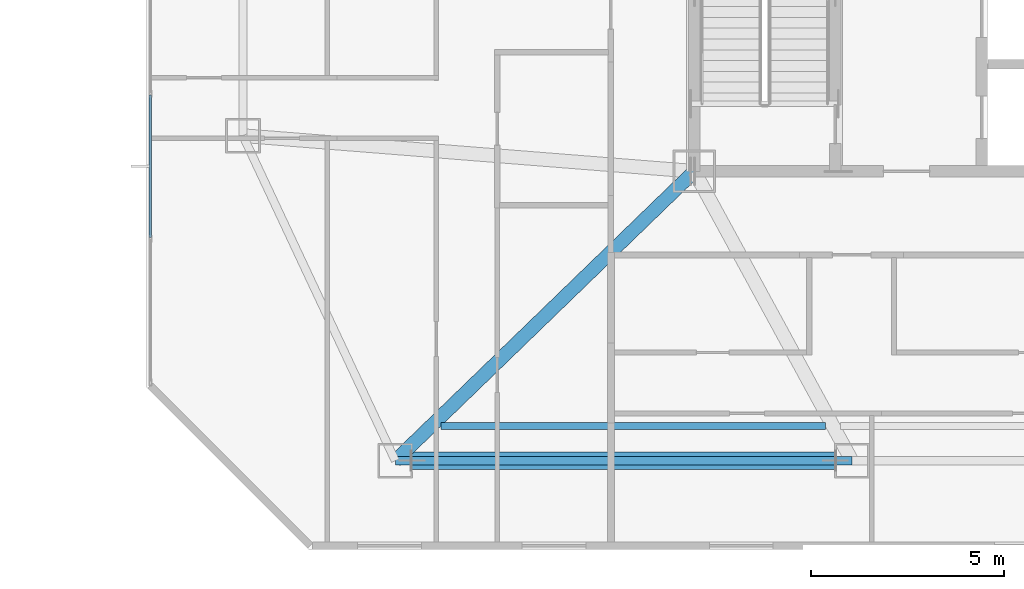
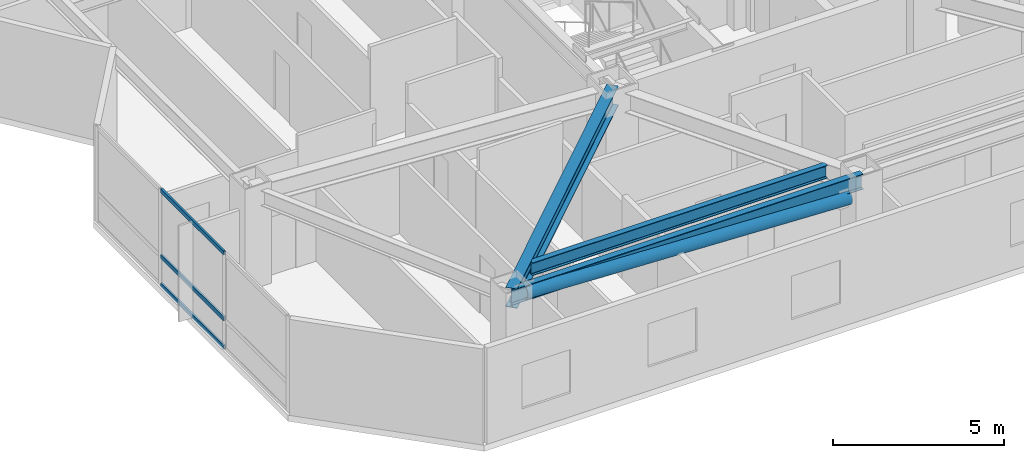
# One storey, part 3 of 16: 4 members, 3 beams, 1 element without a shape of its own.
"""IFC4 building model written with IfcOpenShell, lengths in metres."""

from ifc_helpers import new_model, si_unit, direction, frame, origin, origin_2d, place, context, subcontext, project, spatial, hollow_rectangle, hollow_circle, i_section, extrude, material, material_profile, profile_set, type_object, element, aggregate, save


model = new_model("IFC4")

# Units and contexts
model_context = context("Model", 3, precision=1e-05, world=origin(), true_north=direction((0.0, 1.0)))
body_context = subcontext(model_context, "Body", "Model", "MODEL_VIEW")
ifc_project = project(units=[si_unit("LENGTHUNIT", "METRE"), si_unit("AREAUNIT", "SQUARE_METRE"), si_unit("VOLUMEUNIT", "CUBIC_METRE"), si_unit("PLANEANGLEUNIT", "RADIAN"), si_unit("MASSUNIT", "GRAM", prefix="KILO")], contexts=[model_context])

# Site, building, storey
site_placement = place(None, origin())
site = spatial("IfcSite", under=ifc_project, at=site_placement, CompositionType="ELEMENT")
building_placement = place(site_placement, origin())
building = spatial("IfcBuilding", under=site, at=building_placement, Name="Khamvora Tower", CompositionType="ELEMENT")
storey_placement = place(building_placement, frame((0.0, 0.0, 170.5)))
storey = spatial("IfcBuildingStorey", under=building, at=storey_placement, Name="L43", CompositionType="ELEMENT", Elevation=170.5)

# Beams
ifc_material_1 = material(Name="Steel S355", Category="steel")
ifc_material_profile_1 = material_profile(ifc_material_1, i_section(OverallWidth=0.19189453125, OverallDepth=0.462890625, WebThickness=0.010986328125, FlangeThickness=0.01806640625, FilletRadius=0.011962890625, at=origin_2d()), Name="W460x89")
ifc_profile_set_1 = profile_set([ifc_material_profile_1], Name="Steel S355")
beam_type_1 = type_object("IfcBeamType", Name="BM-JS-W460x89", PredefinedType="JOIST", material=ifc_profile_set_1)
beam_1_placement = place(storey_placement, frame((22.429931640625, 12.39990234375, 3.197998046875), z_axis=(1.0, 0.0, 0.0), x_axis=(0.0, 1.0, 0.0)))
element("IfcBeam", 1, at=beam_1_placement, inside=storey, type_object=beam_type_1, Name="L43 secondary floor joist 01", PredefinedType="JOIST", context=body_context, shape_type="SweptSolid", body=[
    extrude(i_section(OverallWidth=0.19189453125, OverallDepth=0.462890625, WebThickness=0.010986328125, FlangeThickness=0.01806640625, FilletRadius=0.011962890625, at=origin_2d()), origin(), (0.0, 0.0, 1.0), 9.966064453125),
])
ifc_material_profile_2 = material_profile(ifc_material_1, i_section(OverallWidth=0.35498046875, OverallDepth=0.695068359375, WebThickness=0.014892578125, FlangeThickness=0.02490234375, FilletRadius=0.01611328125, at=origin_2d()), Name="W690x217")
ifc_profile_set_2 = profile_set([ifc_material_profile_2], Name="Steel S355")
beam_type_2 = type_object("IfcBeamType", Name="BM-PG-W690x217", PredefinedType="BEAM", material=ifc_profile_set_2)
beam_2_placement = place(storey_placement, frame((29.0, 19.0, 3.0830078125), z_axis=(-0.718602141767, -0.695421427516, 0.0), x_axis=(0.695421427516, -0.718602141767, 0.0)))
element("IfcBeam", 2, at=beam_2_placement, inside=storey, type_object=beam_type_2, Name="L43 primary floor girder S1", PredefinedType="BEAM", context=body_context, shape_type="SweptSolid", body=[
    extrude(i_section(OverallWidth=0.35498046875, OverallDepth=0.695068359375, WebThickness=0.014892578125, FlangeThickness=0.02490234375, FilletRadius=0.01611328125, at=origin_2d()), origin(), (0.0, 0.0, 1.0), 10.784912109375),
])
ifc_material_profile_3 = material_profile(ifc_material_1, i_section(OverallWidth=0.2119140625, OverallDepth=0.5439453125, WebThickness=0.012939453125, FlangeThickness=0.02099609375, FilletRadius=0.013916015625, at=origin_2d()), Name="W530x123")
ifc_profile_set_3 = profile_set([ifc_material_profile_3], Name="Steel S355")
beam_type_3 = type_object("IfcBeamType", Name="BM-SP-W530x123", PredefinedType="SPANDREL", material=ifc_profile_set_3)
beam_3_placement = place(storey_placement, frame((21.25, 11.5, 3.157958984375), z_axis=(1.0, 0.0, 0.0), x_axis=(0.0, 1.0, 0.0)))
element("IfcBeam", 3, at=beam_3_placement, inside=storey, type_object=beam_type_3, Name="L43 perimeter spandrel beam S1-S2", PredefinedType="SPANDREL", context=body_context, shape_type="SweptSolid", body=[
    extrude(i_section(OverallWidth=0.2119140625, OverallDepth=0.5439453125, WebThickness=0.012939453125, FlangeThickness=0.02099609375, FilletRadius=0.013916015625, at=origin_2d()), origin(), (0.0, 0.0, 1.0), 11.8330078125),
])

# Curtain wall, members
ifc_material_2 = material(Name="Anodised Aluminium 6063-T6", Category="aluminium")
curtain_wall_type = type_object("IfcCurtainWallType", Name="CW-SYS-04", PredefinedType="NOTDEFINED", material=ifc_material_2)
curtain_wall_placement = place(storey_placement, origin())
curtain_wall = element("IfcCurtainWall", 4, at=curtain_wall_placement, inside=storey, type_object=curtain_wall_type, Name="L43 stick curtain wall 02.1", PredefinedType="NOTDEFINED")
ifc_material_profile_4 = material_profile(ifc_material_2, hollow_rectangle(XDim=0.06494140625, YDim=0.14990234375, WallThickness=0.0048828125, at=origin_2d()), Name="TRN65x150x5")
ifc_profile_set_4 = profile_set([ifc_material_profile_4], Name="Anodised Aluminium 6063-T6")
member_type_1 = type_object("IfcMemberType", Name="CW-SYS-04-TRN", PredefinedType="USERDEFINED", material=ifc_profile_set_4)
member_1_placement = place(storey_placement, frame((14.89990234375, 17.290771484375, 0.032470703125), z_axis=(0.0, 1.0, 0.0), x_axis=(-1.0, 0.0, 0.0)))
member_1 = element("IfcMember", 5, at=member_1_placement, type_object=member_type_1, Name="CW-04 transom 2.1", ObjectType="TRANSOM", PredefinedType="USERDEFINED", context=body_context, shape_type="SweptSolid", body=[
    extrude(hollow_rectangle(XDim=0.06494140625, YDim=0.14990234375, WallThickness=0.0048828125, at=origin_2d()), origin(), (0.0, 0.0, 1.0), 3.689453125),
])
member_2_placement = place(storey_placement, frame((14.89990234375, 17.290771484375, 1.050048828125), z_axis=(0.0, 1.0, 0.0), x_axis=(-1.0, 0.0, 0.0)))
member_2 = element("IfcMember", 6, at=member_2_placement, type_object=member_type_1, Name="CW-04 transom 2.2", ObjectType="TRANSOM", PredefinedType="USERDEFINED", context=body_context, shape_type="SweptSolid", body=[
    extrude(hollow_rectangle(XDim=0.06494140625, YDim=0.14990234375, WallThickness=0.0048828125, at=origin_2d()), origin(), (0.0, 0.0, 1.0), 3.689453125),
])
member_3_placement = place(storey_placement, frame((14.89990234375, 17.290771484375, 3.3974609375), z_axis=(0.0, 1.0, 0.0), x_axis=(-1.0, 0.0, 0.0)))
member_3 = element("IfcMember", 7, at=member_3_placement, type_object=member_type_1, Name="CW-04 transom 2.3", ObjectType="TRANSOM", PredefinedType="USERDEFINED", context=body_context, shape_type="SweptSolid", body=[
    extrude(hollow_rectangle(XDim=0.06494140625, YDim=0.14990234375, WallThickness=0.0048828125, at=origin_2d()), origin(), (0.0, 0.0, 1.0), 3.689453125),
])
aggregate(curtain_wall, [member_1, member_2, member_3])

# Member
ifc_material_profile_5 = material_profile(ifc_material_1, hollow_circle(Radius=0.228515625, WallThickness=0.02001953125, at=origin_2d()), Name="CHS457x20")
ifc_profile_set_5 = profile_set([ifc_material_profile_5], Name="Steel S355")
member_type_2 = type_object("IfcMemberType", Name="MEM-BR-CHS457", PredefinedType="BRACE", material=ifc_profile_set_5)
member_4_placement = place(storey_placement, frame((32.653076171875, 11.5, 2.697998046875), z_axis=(-0.999174860809, 0.0, 0.040615237634), x_axis=(0.0, -1.0, 0.0)))
element("IfcMember", 8, at=member_4_placement, inside=storey, type_object=member_type_2, Name="L43 perimeter wind brace 1", PredefinedType="BRACE", context=body_context, shape_type="SweptSolid", body=[
    extrude(hollow_circle(Radius=0.228515625, WallThickness=0.02001953125, at=origin_2d()), origin(), (0.0, 0.0, 1.0), 10.982177734375),
])

save(model, "model.ifc")
